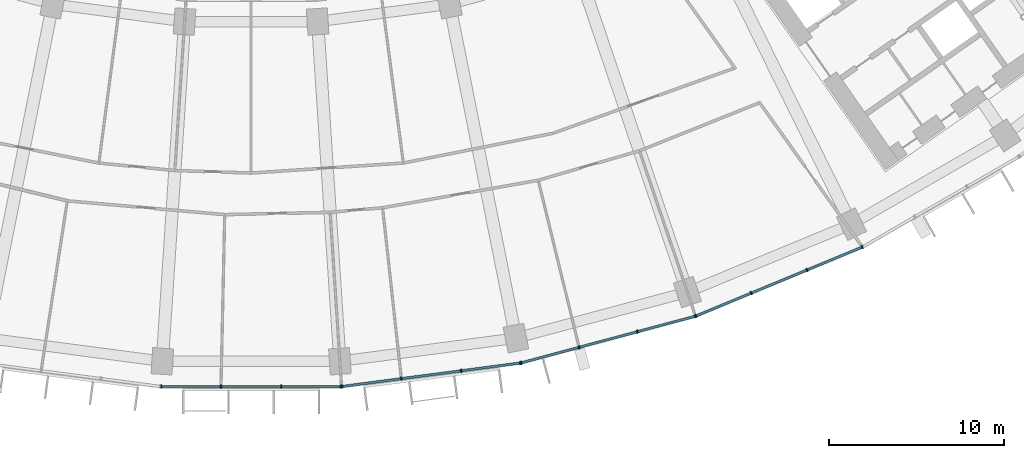
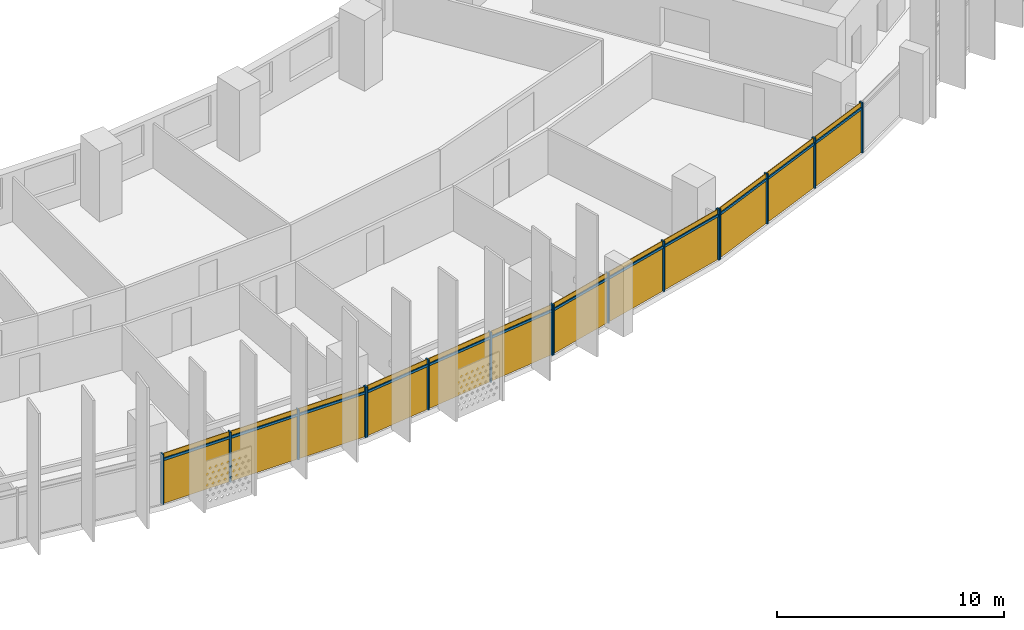
# One storey, part 22 of 30: 28 members, 4 curtain walls.
"""IFC4 building model written with IfcOpenShell, lengths in metres."""

from ifc_helpers import new_model, si_unit, direction, frame, origin, origin_2d, place, context, subcontext, project, spatial, rectangle, extrude, material, material_profile, profile_set, type_object, element, aggregate, save


model = new_model("IFC4")

# Units and contexts
model_context = context("Model", 3, precision=1e-05, world=origin(), true_north=direction((0.0, 1.0)))
body_context = subcontext(model_context, "Body", "Model", "MODEL_VIEW")
ifc_project = project(units=[si_unit("LENGTHUNIT", "METRE"), si_unit("AREAUNIT", "SQUARE_METRE"), si_unit("VOLUMEUNIT", "CUBIC_METRE"), si_unit("PLANEANGLEUNIT", "RADIAN"), si_unit("MASSUNIT", "GRAM", prefix="KILO")], contexts=[model_context])

# Member
ifc_material = material(Name="Aluminium 6063-T6 anodised", Category="aluminium")
ifc_material_profile_1 = material_profile(ifc_material, rectangle(XDim=0.199951171875, YDim=0.070068359375, at=origin_2d()))
ifc_profile_set_1 = profile_set([ifc_material_profile_1], Name="Aluminium 6063-T6 anodised")
member_type_1 = type_object("IfcMemberType", Name="Mullion 70 x 200 aluminium", PredefinedType="MULLION", material=ifc_profile_set_1)
site_placement = place(None, origin())
building_placement = place(site_placement, origin())
storey_placement = place(building_placement, frame((0.0, 0.0, 125.300048828125)))
member_1_placement = place(storey_placement, frame((-5.1513671875, -79.0302734375, 0.0), z_axis=(0.0, 0.0, 1.0), x_axis=(0.0, 1.0, 0.0)))
member_1 = element("IfcMember", 1, at=member_1_placement, type_object=member_type_1, Name="e-cw1-L28-out09/M00", PredefinedType="MULLION", context=body_context, shape_type="SweptSolid", body=[
    extrude(rectangle(XDim=0.199951171875, YDim=0.070068359375, at=origin_2d()), origin(), (0.0, 0.0, 1.0), 2.699951171875),
])

member_2_placement = place(storey_placement, frame((-1.728759765625, -79.0302734375, 0.0), z_axis=(0.0, 0.0, 1.0), x_axis=(0.0, 1.0, 0.0)))
member_2 = element("IfcMember", 2, at=member_2_placement, type_object=member_type_1, Name="e-cw1-L28-out09/M01", PredefinedType="MULLION", context=body_context, shape_type="SweptSolid", body=[
    extrude(rectangle(XDim=0.199951171875, YDim=0.070068359375, at=origin_2d()), origin(), (0.0, 0.0, 1.0), 2.699951171875),
])

member_3_placement = place(storey_placement, frame((1.728759765625, -79.0302734375, 0.0), z_axis=(0.0, 0.0, 1.0), x_axis=(0.0, 1.0, 0.0)))
member_3 = element("IfcMember", 3, at=member_3_placement, type_object=member_type_1, Name="e-cw1-L28-out09/M02", PredefinedType="MULLION", context=body_context, shape_type="SweptSolid", body=[
    extrude(rectangle(XDim=0.199951171875, YDim=0.070068359375, at=origin_2d()), origin(), (0.0, 0.0, 1.0), 2.699951171875),
])

member_4_placement = place(storey_placement, frame((5.1513671875, -79.0302734375, 0.0), z_axis=(0.0, 0.0, 1.0), x_axis=(0.0, 1.0, 0.0)))
member_4 = element("IfcMember", 4, at=member_4_placement, type_object=member_type_1, Name="e-cw1-L28-out09/M03", PredefinedType="MULLION", context=body_context, shape_type="SweptSolid", body=[
    extrude(rectangle(XDim=0.199951171875, YDim=0.070068359375, at=origin_2d()), origin(), (0.0, 0.0, 1.0), 2.699951171875),
])

member_5_placement = place(storey_placement, frame((5.2080078125, -79.026611328125, 0.0), z_axis=(0.0, 0.0, 1.0), x_axis=(-0.13052619222, 0.991444861374, 0.0)))
member_5 = element("IfcMember", 5, at=member_5_placement, type_object=member_type_1, Name="e-cw1-L28-out10/M00", PredefinedType="MULLION", context=body_context, shape_type="SweptSolid", body=[
    extrude(rectangle(XDim=0.199951171875, YDim=0.070068359375, at=origin_2d()), origin(), (0.0, 0.0, 1.0), 2.699951171875),
])

member_6_placement = place(storey_placement, frame((8.6015625, -78.579833984375, 0.0), z_axis=(0.0, 0.0, 1.0), x_axis=(-0.13052619222, 0.991444861374, 0.0)))
member_6 = element("IfcMember", 6, at=member_6_placement, type_object=member_type_1, Name="e-cw1-L28-out10/M01", PredefinedType="MULLION", context=body_context, shape_type="SweptSolid", body=[
    extrude(rectangle(XDim=0.199951171875, YDim=0.070068359375, at=origin_2d()), origin(), (0.0, 0.0, 1.0), 2.699951171875),
])

member_7_placement = place(storey_placement, frame((12.029541015625, -78.12841796875, 0.0), z_axis=(0.0, 0.0, 1.0), x_axis=(-0.13052619222, 0.991444861374, 0.0)))
member_7 = element("IfcMember", 7, at=member_7_placement, type_object=member_type_1, Name="e-cw1-L28-out10/M02", PredefinedType="MULLION", context=body_context, shape_type="SweptSolid", body=[
    extrude(rectangle(XDim=0.199951171875, YDim=0.070068359375, at=origin_2d()), origin(), (0.0, 0.0, 1.0), 2.699951171875),
])

member_8_placement = place(storey_placement, frame((15.4228515625, -77.681640625, 0.0), z_axis=(0.0, 0.0, 1.0), x_axis=(-0.13052619222, 0.991444861374, 0.0)))
member_8 = element("IfcMember", 8, at=member_8_placement, type_object=member_type_1, Name="e-cw1-L28-out10/M03", PredefinedType="MULLION", context=body_context, shape_type="SweptSolid", body=[
    extrude(rectangle(XDim=0.199951171875, YDim=0.070068359375, at=origin_2d()), origin(), (0.0, 0.0, 1.0), 2.699951171875),
])

member_9_placement = place(storey_placement, frame((15.478515625, -77.670654296875, 0.0), z_axis=(0.0, 0.0, 1.0), x_axis=(-0.258819045103, 0.965925826289, 0.0)))
member_9 = element("IfcMember", 9, at=member_9_placement, type_object=member_type_1, Name="e-cw1-L28-out11/M00", PredefinedType="MULLION", context=body_context, shape_type="SweptSolid", body=[
    extrude(rectangle(XDim=0.199951171875, YDim=0.070068359375, at=origin_2d()), origin(), (0.0, 0.0, 1.0), 2.699951171875),
])

member_10_placement = place(storey_placement, frame((18.78466796875, -76.78466796875, 0.0), z_axis=(0.0, 0.0, 1.0), x_axis=(-0.258819045103, 0.965925826289, 0.0)))
member_10 = element("IfcMember", 10, at=member_10_placement, type_object=member_type_1, Name="e-cw1-L28-out11/M01", PredefinedType="MULLION", context=body_context, shape_type="SweptSolid", body=[
    extrude(rectangle(XDim=0.199951171875, YDim=0.070068359375, at=origin_2d()), origin(), (0.0, 0.0, 1.0), 2.699951171875),
])

member_11_placement = place(storey_placement, frame((22.12451171875, -75.889892578125, 0.0), z_axis=(0.0, 0.0, 1.0), x_axis=(-0.258819045103, 0.965925826289, 0.0)))
member_11 = element("IfcMember", 11, at=member_11_placement, type_object=member_type_1, Name="e-cw1-L28-out11/M02", PredefinedType="MULLION", context=body_context, shape_type="SweptSolid", body=[
    extrude(rectangle(XDim=0.199951171875, YDim=0.070068359375, at=origin_2d()), origin(), (0.0, 0.0, 1.0), 2.699951171875),
])

member_12_placement = place(storey_placement, frame((25.430419921875, -75.00390625, 0.0), z_axis=(0.0, 0.0, 1.0), x_axis=(-0.258819045103, 0.965925826289, 0.0)))
member_12 = element("IfcMember", 12, at=member_12_placement, type_object=member_type_1, Name="e-cw1-L28-out11/M03", PredefinedType="MULLION", context=body_context, shape_type="SweptSolid", body=[
    extrude(rectangle(XDim=0.199951171875, YDim=0.070068359375, at=origin_2d()), origin(), (0.0, 0.0, 1.0), 2.699951171875),
])

member_13_placement = place(storey_placement, frame((25.484130859375, -74.98583984375, 0.0), z_axis=(0.0, 0.0, 1.0), x_axis=(-0.382683432365, 0.923879532511, 0.0)))
member_13 = element("IfcMember", 13, at=member_13_placement, type_object=member_type_1, Name="e-cw1-L28-out12/M00", PredefinedType="MULLION", context=body_context, shape_type="SweptSolid", body=[
    extrude(rectangle(XDim=0.199951171875, YDim=0.070068359375, at=origin_2d()), origin(), (0.0, 0.0, 1.0), 2.699951171875),
])

member_14_placement = place(storey_placement, frame((28.646240234375, -73.676025390625, 0.0), z_axis=(0.0, 0.0, 1.0), x_axis=(-0.382683432365, 0.923879532511, 0.0)))
member_14 = element("IfcMember", 14, at=member_14_placement, type_object=member_type_1, Name="e-cw1-L28-out12/M01", PredefinedType="MULLION", context=body_context, shape_type="SweptSolid", body=[
    extrude(rectangle(XDim=0.199951171875, YDim=0.070068359375, at=origin_2d()), origin(), (0.0, 0.0, 1.0), 2.699951171875),
])

member_15_placement = place(storey_placement, frame((31.8408203125, -72.352783203125, 0.0), z_axis=(0.0, 0.0, 1.0), x_axis=(-0.382683432365, 0.923879532511, 0.0)))
member_15 = element("IfcMember", 15, at=member_15_placement, type_object=member_type_1, Name="e-cw1-L28-out12/M02", PredefinedType="MULLION", context=body_context, shape_type="SweptSolid", body=[
    extrude(rectangle(XDim=0.199951171875, YDim=0.070068359375, at=origin_2d()), origin(), (0.0, 0.0, 1.0), 2.699951171875),
])

member_16_placement = place(storey_placement, frame((35.0029296875, -71.04296875, 0.0), z_axis=(0.0, 0.0, 1.0), x_axis=(-0.382683432365, 0.923879532511, 0.0)))
member_16 = element("IfcMember", 16, at=member_16_placement, type_object=member_type_1, Name="e-cw1-L28-out12/M03", PredefinedType="MULLION", context=body_context, shape_type="SweptSolid", body=[
    extrude(rectangle(XDim=0.199951171875, YDim=0.070068359375, at=origin_2d()), origin(), (0.0, 0.0, 1.0), 2.699951171875),
])

ifc_material_profile_2 = material_profile(ifc_material, rectangle(XDim=0.139892578125, YDim=0.1201171875, at=origin_2d()))
ifc_profile_set_2 = profile_set([ifc_material_profile_2], Name="Aluminium 6063-T6 anodised")
member_type_2 = type_object("IfcMemberType", Name="Transom 120 x 140 aluminium", PredefinedType="USERDEFINED", material=ifc_profile_set_2)
member_17_placement = place(storey_placement, frame((-5.116455078125, -79.0302734375, 2.39990234375), z_axis=(1.0, 0.0, 0.0), x_axis=(0.0, 1.0, 0.0)))
member_17 = element("IfcMember", 17, at=member_17_placement, type_object=member_type_2, Name="e-cw1-L28-out09/T00", ObjectType="TRANSOM", PredefinedType="USERDEFINED", context=body_context, shape_type="SweptSolid", body=[
    extrude(rectangle(XDim=0.139892578125, YDim=0.1201171875, at=origin_2d()), origin(), (0.0, 0.0, 1.0), 3.3525390625),
])

member_18_placement = place(storey_placement, frame((-1.69384765625, -79.0302734375, 2.39990234375), z_axis=(1.0, 0.0, 0.0), x_axis=(0.0, 1.0, 0.0)))
member_18 = element("IfcMember", 18, at=member_18_placement, type_object=member_type_2, Name="e-cw1-L28-out09/T01", ObjectType="TRANSOM", PredefinedType="USERDEFINED", context=body_context, shape_type="SweptSolid", body=[
    extrude(rectangle(XDim=0.139892578125, YDim=0.1201171875, at=origin_2d()), origin(), (0.0, 0.0, 1.0), 3.3876953125),
])

member_19_placement = place(storey_placement, frame((1.763916015625, -79.0302734375, 2.39990234375), z_axis=(1.0, 0.0, 0.0), x_axis=(0.0, 1.0, 0.0)))
member_19 = element("IfcMember", 19, at=member_19_placement, type_object=member_type_2, Name="e-cw1-L28-out09/T02", ObjectType="TRANSOM", PredefinedType="USERDEFINED", context=body_context, shape_type="SweptSolid", body=[
    extrude(rectangle(XDim=0.139892578125, YDim=0.1201171875, at=origin_2d()), origin(), (0.0, 0.0, 1.0), 3.3525390625),
])

member_20_placement = place(storey_placement, frame((5.242919921875, -79.02197265625, 2.39990234375), z_axis=(0.991439665896, 0.130565649721, 0.0), x_axis=(-0.130565649721, 0.991439665896, 0.0)))
member_20 = element("IfcMember", 20, at=member_20_placement, type_object=member_type_2, Name="e-cw1-L28-out10/T00", ObjectType="TRANSOM", PredefinedType="USERDEFINED", context=body_context, shape_type="SweptSolid", body=[
    extrude(rectangle(XDim=0.139892578125, YDim=0.1201171875, at=origin_2d()), origin(), (0.0, 0.0, 1.0), 3.352783203125),
])

member_21_placement = place(storey_placement, frame((8.63623046875, -78.5751953125, 2.39990234375), z_axis=(0.991446198807, 0.130516033004, 0.0), x_axis=(-0.130516033004, 0.991446198807, 0.0)))
member_21 = element("IfcMember", 21, at=member_21_placement, type_object=member_type_2, Name="e-cw1-L28-out10/T01", ObjectType="TRANSOM", PredefinedType="USERDEFINED", context=body_context, shape_type="SweptSolid", body=[
    extrude(rectangle(XDim=0.139892578125, YDim=0.1201171875, at=origin_2d()), origin(), (0.0, 0.0, 1.0), 3.3876953125),
])

member_22_placement = place(storey_placement, frame((12.064208984375, -78.123779296875, 2.39990234375), z_axis=(0.991449089759, 0.130494070426, 0.0), x_axis=(-0.130494070426, 0.991449089759, 0.0)))
member_22 = element("IfcMember", 22, at=member_22_placement, type_object=member_type_2, Name="e-cw1-L28-out10/T02", ObjectType="TRANSOM", PredefinedType="USERDEFINED", context=body_context, shape_type="SweptSolid", body=[
    extrude(rectangle(XDim=0.139892578125, YDim=0.1201171875, at=origin_2d()), origin(), (0.0, 0.0, 1.0), 3.3525390625),
])

member_23_placement = place(storey_placement, frame((15.512451171875, -77.66162109375, 2.39990234375), z_axis=(0.965927247937, 0.258813739382, 0.0), x_axis=(-0.258813739382, 0.965927247937, 0.0)))
member_23 = element("IfcMember", 23, at=member_23_placement, type_object=member_type_2, Name="e-cw1-L28-out11/T00", ObjectType="TRANSOM", PredefinedType="USERDEFINED", context=body_context, shape_type="SweptSolid", body=[
    extrude(rectangle(XDim=0.139892578125, YDim=0.1201171875, at=origin_2d()), origin(), (0.0, 0.0, 1.0), 3.3525390625),
])

member_24_placement = place(storey_placement, frame((18.818359375, -76.775634765625, 2.39990234375), z_axis=(0.965931646033, 0.258797324547, 0.0), x_axis=(-0.258797324547, 0.965931646033, 0.0)))
member_24 = element("IfcMember", 24, at=member_24_placement, type_object=member_type_2, Name="e-cw1-L28-out11/T01", ObjectType="TRANSOM", PredefinedType="USERDEFINED", context=body_context, shape_type="SweptSolid", body=[
    extrude(rectangle(XDim=0.139892578125, YDim=0.1201171875, at=origin_2d()), origin(), (0.0, 0.0, 1.0), 3.3876953125),
])

member_25_placement = place(storey_placement, frame((22.158203125, -75.880859375, 2.39990234375), z_axis=(0.965932125453, 0.258795535157, 0.0), x_axis=(-0.258795535157, 0.965932125453, 0.0)))
member_25 = element("IfcMember", 25, at=member_25_placement, type_object=member_type_2, Name="e-cw1-L28-out11/T02", ObjectType="TRANSOM", PredefinedType="USERDEFINED", context=body_context, shape_type="SweptSolid", body=[
    extrude(rectangle(XDim=0.139892578125, YDim=0.1201171875, at=origin_2d()), origin(), (0.0, 0.0, 1.0), 3.352783203125),
])

member_26_placement = place(storey_placement, frame((25.5166015625, -74.972412109375, 2.39990234375), z_axis=(0.923882814237, 0.382675509483, 0.0), x_axis=(-0.382675509483, 0.923882814237, 0.0)))
member_26 = element("IfcMember", 26, at=member_26_placement, type_object=member_type_2, Name="e-cw1-L28-out12/T00", ObjectType="TRANSOM", PredefinedType="USERDEFINED", context=body_context, shape_type="SweptSolid", body=[
    extrude(rectangle(XDim=0.139892578125, YDim=0.1201171875, at=origin_2d()), origin(), (0.0, 0.0, 1.0), 3.3525390625),
])

member_27_placement = place(storey_placement, frame((28.6787109375, -73.66259765625, 2.39990234375), z_axis=(0.923874529423, 0.382695510666, 0.0), x_axis=(-0.382695510666, 0.923874529423, 0.0)))
member_27 = element("IfcMember", 27, at=member_27_placement, type_object=member_type_2, Name="e-cw1-L28-out12/T01", ObjectType="TRANSOM", PredefinedType="USERDEFINED", context=body_context, shape_type="SweptSolid", body=[
    extrude(rectangle(XDim=0.139892578125, YDim=0.1201171875, at=origin_2d()), origin(), (0.0, 0.0, 1.0), 3.387451171875),
])

member_28_placement = place(storey_placement, frame((31.873046875, -72.33935546875, 2.39990234375), z_axis=(0.923882814237, 0.382675509483, 0.0), x_axis=(-0.382675509483, 0.923882814237, 0.0)))
member_28 = element("IfcMember", 28, at=member_28_placement, type_object=member_type_2, Name="e-cw1-L28-out12/T02", ObjectType="TRANSOM", PredefinedType="USERDEFINED", context=body_context, shape_type="SweptSolid", body=[
    extrude(rectangle(XDim=0.139892578125, YDim=0.1201171875, at=origin_2d()), origin(), (0.0, 0.0, 1.0), 3.3525390625),
])

# Site, building, storey
site = spatial("IfcSite", under=ifc_project, at=site_placement, CompositionType="ELEMENT")
building = spatial("IfcBuilding", under=site, at=building_placement, Name="Qamariyya Broadcast Tower", CompositionType="ELEMENT")
storey = spatial("IfcBuildingStorey", under=building, at=storey_placement, Name="L28", CompositionType="ELEMENT", Elevation=125.300048828125)

# Curtain wall
curtain_wall_type = type_object("IfcCurtainWallType", Name="Unitised curtain wall, anodised aluminium", PredefinedType="NOTDEFINED", material=ifc_material)
curtain_wall_1_placement = place(storey_placement, origin())
curtain_wall_1 = element("IfcCurtainWall", 29, at=curtain_wall_1_placement, inside=storey, type_object=curtain_wall_type, Name="e-cw1-L28-out09", PredefinedType="NOTDEFINED", context=body_context, shape_type="SweptSolid", body=[
    extrude(rectangle(XDim=3.352783203125, YDim=0.031982421875, at=origin_2d()), frame((-3.440185546875, -79.0302734375, 0.0), x_axis=(1.0, 0.0, 0.0)), (0.0, 0.0, 1.0), 2.340087890625),
    extrude(rectangle(XDim=3.352783203125, YDim=0.031982421875, at=origin_2d()), frame((-3.440185546875, -79.0302734375, 2.4599609375), x_axis=(1.0, 0.0, 0.0)), (0.0, 0.0, 1.0), 0.239990234375),
    extrude(rectangle(XDim=3.3876953125, YDim=0.031982421875, at=origin_2d()), frame((0.0, -79.0302734375, 0.0), x_axis=(1.0, 0.0, 0.0)), (0.0, 0.0, 1.0), 2.340087890625),
    extrude(rectangle(XDim=3.3876953125, YDim=0.031982421875, at=origin_2d()), frame((0.0, -79.0302734375, 2.4599609375), x_axis=(1.0, 0.0, 0.0)), (0.0, 0.0, 1.0), 0.239990234375),
    extrude(rectangle(XDim=3.352783203125, YDim=0.031982421875, at=origin_2d()), frame((3.440185546875, -79.0302734375, 0.0), x_axis=(1.0, 0.0, 0.0)), (0.0, 0.0, 1.0), 2.340087890625),
    extrude(rectangle(XDim=3.352783203125, YDim=0.031982421875, at=origin_2d()), frame((3.440185546875, -79.0302734375, 2.4599609375), x_axis=(1.0, 0.0, 0.0)), (0.0, 0.0, 1.0), 0.239990234375),
])

aggregate(curtain_wall_1, [member_1, member_2, member_3, member_4, member_17, member_18, member_19])

curtain_wall_2_placement = place(storey_placement, origin())
curtain_wall_2 = element("IfcCurtainWall", 30, at=curtain_wall_2_placement, inside=storey, type_object=curtain_wall_type, Name="e-cw1-L28-out10", PredefinedType="NOTDEFINED", context=body_context, shape_type="SweptSolid", body=[
    extrude(rectangle(XDim=3.3525390625, YDim=0.031982421875, at=origin_2d()), frame((6.90478515625, -78.802978515625, 0.0), x_axis=(0.991447084105, 0.13050930779, 0.0)), (0.0, 0.0, 1.0), 2.340087890625),
    extrude(rectangle(XDim=3.3525390625, YDim=0.031982421875, at=origin_2d()), frame((6.90478515625, -78.802978515625, 2.4599609375), x_axis=(0.991447084105, 0.13050930779, 0.0)), (0.0, 0.0, 1.0), 0.239990234375),
    extrude(rectangle(XDim=3.3876953125, YDim=0.031982421875, at=origin_2d()), frame((10.3154296875, -78.35400390625, 0.0), x_axis=(0.991447084105, 0.13050930779, 0.0)), (0.0, 0.0, 1.0), 2.340087890625),
    extrude(rectangle(XDim=3.3876953125, YDim=0.031982421875, at=origin_2d()), frame((10.3154296875, -78.35400390625, 2.4599609375), x_axis=(0.991447084105, 0.13050930779, 0.0)), (0.0, 0.0, 1.0), 0.239990234375),
    extrude(rectangle(XDim=3.3525390625, YDim=0.031982421875, at=origin_2d()), frame((13.72607421875, -77.9052734375, 0.0), x_axis=(0.991447084105, 0.13050930779, 0.0)), (0.0, 0.0, 1.0), 2.340087890625),
    extrude(rectangle(XDim=3.3525390625, YDim=0.031982421875, at=origin_2d()), frame((13.72607421875, -77.9052734375, 2.4599609375), x_axis=(0.991447084105, 0.13050930779, 0.0)), (0.0, 0.0, 1.0), 0.239990234375),
])

aggregate(curtain_wall_2, [member_5, member_6, member_7, member_8, member_20, member_21, member_22])

curtain_wall_3_placement = place(storey_placement, origin())
curtain_wall_3 = element("IfcCurtainWall", 31, at=curtain_wall_3_placement, inside=storey, type_object=curtain_wall_type, Name="e-cw1-L28-out11", PredefinedType="NOTDEFINED", context=body_context, shape_type="SweptSolid", body=[
    extrude(rectangle(XDim=3.352783203125, YDim=0.031982421875, at=origin_2d()), frame((17.131591796875, -77.227783203125, 0.0), x_axis=(0.965923677743, 0.258827063454, 0.0)), (0.0, 0.0, 1.0), 2.340087890625),
    extrude(rectangle(XDim=3.352783203125, YDim=0.031982421875, at=origin_2d()), frame((17.131591796875, -77.227783203125, 2.4599609375), x_axis=(0.965923677743, 0.258827063454, 0.0)), (0.0, 0.0, 1.0), 0.239990234375),
    extrude(rectangle(XDim=3.3876953125, YDim=0.031982421875, at=origin_2d()), frame((20.45458984375, -76.33740234375, 0.0), x_axis=(0.965923677743, 0.258827063454, 0.0)), (0.0, 0.0, 1.0), 2.340087890625),
    extrude(rectangle(XDim=3.3876953125, YDim=0.031982421875, at=origin_2d()), frame((20.45458984375, -76.33740234375, 2.4599609375), x_axis=(0.965923677743, 0.258827063454, 0.0)), (0.0, 0.0, 1.0), 0.239990234375),
    extrude(rectangle(XDim=3.352783203125, YDim=0.031982421875, at=origin_2d()), frame((23.777587890625, -75.44677734375, 0.0), x_axis=(0.965923677743, 0.258827063454, 0.0)), (0.0, 0.0, 1.0), 2.340087890625),
    extrude(rectangle(XDim=3.352783203125, YDim=0.031982421875, at=origin_2d()), frame((23.777587890625, -75.44677734375, 2.4599609375), x_axis=(0.965923677743, 0.258827063454, 0.0)), (0.0, 0.0, 1.0), 0.239990234375),
])

aggregate(curtain_wall_3, [member_9, member_10, member_11, member_12, member_23, member_24, member_25])

curtain_wall_4_placement = place(storey_placement, origin())
curtain_wall_4 = element("IfcCurtainWall", 32, at=curtain_wall_4_placement, inside=storey, type_object=curtain_wall_type, Name="e-cw1-L28-out12", PredefinedType="NOTDEFINED", context=body_context, shape_type="SweptSolid", body=[
    extrude(rectangle(XDim=3.3525390625, YDim=0.031982421875, at=origin_2d()), frame((27.065185546875, -74.3310546875, 0.0), x_axis=(0.923872250857, 0.382701011361, 0.0)), (0.0, 0.0, 1.0), 2.340087890625),
    extrude(rectangle(XDim=3.3525390625, YDim=0.031982421875, at=origin_2d()), frame((27.065185546875, -74.3310546875, 2.4599609375), x_axis=(0.923872250857, 0.382701011361, 0.0)), (0.0, 0.0, 1.0), 0.239990234375),
    extrude(rectangle(XDim=3.3876953125, YDim=0.031982421875, at=origin_2d()), frame((30.24365234375, -73.014404296875, 0.0), x_axis=(0.923872250857, 0.382701011361, 0.0)), (0.0, 0.0, 1.0), 2.340087890625),
    extrude(rectangle(XDim=3.3876953125, YDim=0.031982421875, at=origin_2d()), frame((30.24365234375, -73.014404296875, 2.4599609375), x_axis=(0.923872250857, 0.382701011361, 0.0)), (0.0, 0.0, 1.0), 0.239990234375),
    extrude(rectangle(XDim=3.3525390625, YDim=0.031982421875, at=origin_2d()), frame((33.421875, -71.69775390625, 0.0), x_axis=(0.923872250857, 0.382701011361, 0.0)), (0.0, 0.0, 1.0), 2.340087890625),
    extrude(rectangle(XDim=3.3525390625, YDim=0.031982421875, at=origin_2d()), frame((33.421875, -71.69775390625, 2.4599609375), x_axis=(0.923872250857, 0.382701011361, 0.0)), (0.0, 0.0, 1.0), 0.239990234375),
])

aggregate(curtain_wall_4, [member_13, member_14, member_15, member_16, member_26, member_27, member_28])

save(model, "model.ifc")
